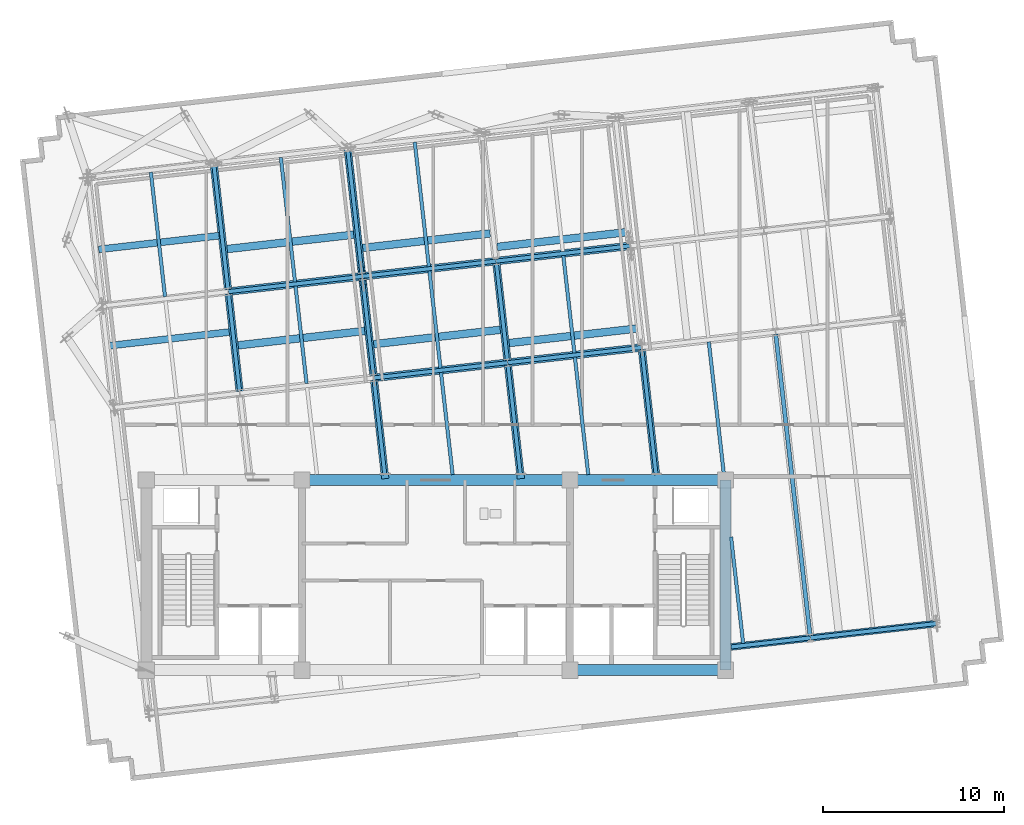
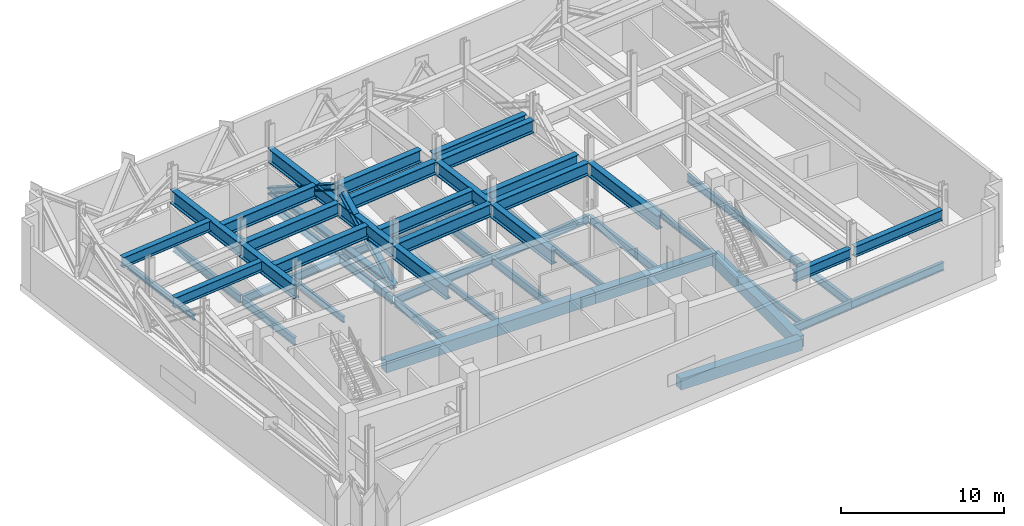
# One storey, part 2 of 10: 53 beams, 4 members.
"""IFC4 building model written with IfcOpenShell, lengths in metres."""

import ifcopenshell
import ifcopenshell.guid

model = None  # the IFC model being written
_history = None  # IfcOwnerHistory: only IFC2X3 demands one
_inside = {}  # id of a spatial element -> (the spatial element, [elements in it])
_under = {}  # id of a project, library or spatial element -> (it, [spatial elements below it])
_declared = {}  # id of a project -> (the project, [libraries it declares])
_typed = {}  # id of a type object -> (the type object, [elements of that type])
_made_of = {}  # id of a material, layer set ... -> (it, [elements and type objects made of it])


def new_model(schema):
    """Start an empty IFC model of exactly this schema.

    Asked for "IFC4X3", IfcOpenShell would pick the latest addendum, in which some entities
    have other attributes; the version numbers below select the first issue.
    IFC2X3 requires an IfcOwnerHistory on every rooted entity: one is made here for all.
    """
    global model, _history
    if schema == "IFC4X3":
        model = ifcopenshell.file(schema_version=(4, 3, 0, 0))
    else:
        model = ifcopenshell.file(schema=schema)
    _inside.clear()
    _under.clear()
    _declared.clear()
    _typed.clear()
    _made_of.clear()
    _history = None
    if model.schema == "IFC2X3":
        org = make("IfcOrganization", Name="unknown")
        user = make(
            "IfcPersonAndOrganization",
            ThePerson=make("IfcPerson", FamilyName="unknown"),
            TheOrganization=org,
        )
        app = make(
            "IfcApplication",
            ApplicationDeveloper=org,
            Version="unknown",
            ApplicationFullName="unknown",
            ApplicationIdentifier="unknown",
        )
        _history = make(
            "IfcOwnerHistory",
            OwningUser=user,
            OwningApplication=app,
            ChangeAction="ADDED",
            CreationDate=0,
        )
    return model


def make(cls, **values):
    """One entity of the class cls with the attributes given. An attribute that is None is left unset."""
    return model.create_entity(
        cls, **{name: value for name, value in values.items() if value is not None}
    )


def rooted(cls, **values):
    """An entity with a GlobalId (a new one), such as an element, a storey or a relation."""
    return make(cls, GlobalId=ifcopenshell.guid.new(), OwnerHistory=_history, **values)


def si_unit(unit_type, name, prefix=None):
    """IfcSIUnit, for example si_unit("LENGTHUNIT", "METRE", prefix="MILLI")."""
    return make("IfcSIUnit", UnitType=unit_type, Prefix=prefix, Name=name)


def assignment(units):
    """IfcUnitAssignment: the units of a project."""
    return None if units is None else make("IfcUnitAssignment", Units=units)


def point(xyz):
    """IfcCartesianPoint."""
    return None if xyz is None else make("IfcCartesianPoint", Coordinates=xyz)


def direction(xyz):
    """IfcDirection."""
    return None if xyz is None else make("IfcDirection", DirectionRatios=xyz)


def frame(location, z_axis=None, x_axis=None):
    """IfcAxis2Placement3D, a coordinate frame: its origin and axes. An axis left out is left unset."""
    return make(
        "IfcAxis2Placement3D",
        Location=point(location),
        Axis=direction(z_axis),
        RefDirection=direction(x_axis),
    )


def frame_2d(location, x_axis=None):
    """IfcAxis2Placement2D, a coordinate frame in the plane: its origin and x axis."""
    return make(
        "IfcAxis2Placement2D", Location=point(location), RefDirection=direction(x_axis)
    )


def origin():
    """The frame at (0, 0, 0) with its axes left unset."""
    return frame((0.0, 0.0, 0.0))


def origin_2d():
    """The frame at (0, 0) in the plane with its x axis left unset."""
    return frame_2d((0.0, 0.0))


def place(relative_to, where):
    """IfcLocalPlacement: puts the frame where relative to a parent placement (None: the world)."""
    return make(
        "IfcLocalPlacement", PlacementRelTo=relative_to, RelativePlacement=where
    )


def context(
    kind, dimensions, precision=None, world=None, true_north=None, identifier=None
):
    """IfcGeometricRepresentationContext, for example the 3D "Model" context."""
    return make(
        "IfcGeometricRepresentationContext",
        ContextIdentifier=identifier,
        ContextType=kind,
        CoordinateSpaceDimension=dimensions,
        Precision=precision,
        WorldCoordinateSystem=world,
        TrueNorth=true_north,
    )


def subcontext(parent, identifier, kind, view, scale=None):
    """IfcGeometricRepresentationSubContext, for example "Body" below "Model"."""
    return make(
        "IfcGeometricRepresentationSubContext",
        ContextIdentifier=identifier,
        ContextType=kind,
        ParentContext=parent,
        TargetScale=scale,
        TargetView=view,
    )


def project(units=None, contexts=None):
    """IfcProject with its units and contexts."""
    return rooted(
        "IfcProject",
        Name="project",
        RepresentationContexts=contexts,
        UnitsInContext=assignment(units),
    )


def spatial(cls, under=None, at=None, **own):
    """A site, building, storey or space (cls), placed at a placement, below another one or the project."""
    s = rooted(cls, ObjectPlacement=at, **own)
    if under is not None:
        _under.setdefault(under.id(), (under, []))[1].append(s)
    return s


def profile(cls, at=None, kind="AREA", **sizes):
    """A parametric profile (cls). Its sizes go by their IFC names, for example OverallWidth=200.0."""
    return make(cls, ProfileType=kind, Position=at, **sizes)


def rectangle(**sizes):
    """IfcRectangleProfileDef."""
    return profile("IfcRectangleProfileDef", **sizes)


def i_section(**sizes):
    """IfcIShapeProfileDef."""
    return profile("IfcIShapeProfileDef", **sizes)


def extrude(swept, where, along, depth):
    """IfcExtrudedAreaSolid: the profile swept, set in the frame where, extruded along a direction by depth."""
    return make(
        "IfcExtrudedAreaSolid",
        SweptArea=swept,
        Position=where,
        ExtrudedDirection=direction(along),
        Depth=depth,
    )


def shape(context_of_items, identifier, shape_type, items):
    """IfcShapeRepresentation: the items that make up one representation, for example the "Body"."""
    return make(
        "IfcShapeRepresentation",
        ContextOfItems=context_of_items,
        RepresentationIdentifier=identifier,
        RepresentationType=shape_type,
        Items=items,
    )


def material(Name=None, Category=None):
    """IfcMaterial."""
    return make("IfcMaterial", Name=Name, Category=Category)


def material_profile(
    of_material, cross_section, Name=None, Category=None, Priority=None
):
    """IfcMaterialProfile: a cross section and its material."""
    return make(
        "IfcMaterialProfile",
        Name=Name,
        Material=of_material,
        Profile=cross_section,
        Priority=Priority,
        Category=Category,
    )


def profile_set(profiles, Name=None, composite=None):
    """IfcMaterialProfileSet."""
    return make(
        "IfcMaterialProfileSet",
        Name=Name,
        MaterialProfiles=profiles,
        CompositeProfile=composite,
    )


def made_of(thing, what):
    """Note that an element or type object is made of a material, layer set ...; save() writes the relation."""
    if what is not None:
        _made_of.setdefault(what.id(), (what, []))[1].append(thing)
    return thing


def type_object(cls, material=None, **own):
    """A type object (cls), such as IfcWallType, which elements share."""
    return made_of(rooted(cls, **own), material)


def element(
    cls,
    number,
    at=None,
    inside=None,
    cuts=None,
    type_object=None,
    material=None,
    context=None,
    identifier="Body",
    shape_type=None,
    held_by="IfcProductDefinitionShape",
    body=None,
    shapes=None,
    **own,
):
    """One element of the class cls, such as IfcWall. Its Tag is "e" and its number.

    at: its placement. inside: the storey or other place that contains it. cuts: it is an
    opening in that element (IfcRelVoidsElement). A single representation is given by context,
    identifier, shape_type and body (its items); several are given by shapes. held_by: the class
    of the entity that holds the representations. save() writes the other relations.
    """
    e = rooted(cls, Tag="e%d" % number, ObjectPlacement=at, **own)
    if body is not None:
        shapes = [shape(context, identifier, shape_type, body)]
    if shapes is not None:
        e.Representation = make(held_by, Representations=shapes)
    if inside is not None:
        _inside.setdefault(inside.id(), (inside, []))[1].append(e)
    if cuts is not None:
        rooted(
            "IfcRelVoidsElement", RelatingBuildingElement=cuts, RelatedOpeningElement=e
        )
    if type_object is not None:
        _typed.setdefault(type_object.id(), (type_object, []))[1].append(e)
    return made_of(e, material)


def aggregate(whole, parts):
    """IfcRelAggregates: a whole, such as a stair, and the parts it consists of."""
    return rooted("IfcRelAggregates", RelatingObject=whole, RelatedObjects=parts)


def save(model, path):
    """Write the relations noted so far, then the file.

    IfcRelAggregates (storeys below a building ...), IfcRelContainedInSpatialStructure (elements
    in a storey), IfcRelDefinesByType, IfcRelAssociatesMaterial and IfcRelDeclares: one each for
    every whole, place, type object, material and project.
    """
    for whole, parts in _under.values():
        aggregate(whole, parts)
    for where, things in _inside.values():
        rooted(
            "IfcRelContainedInSpatialStructure",
            RelatedElements=things,
            RelatingStructure=where,
        )
    for kind, things in _typed.values():
        rooted("IfcRelDefinesByType", RelatedObjects=things, RelatingType=kind)
    for what, things in _made_of.values():
        rooted("IfcRelAssociatesMaterial", RelatedObjects=things, RelatingMaterial=what)
    for by, libraries in _declared.values():
        rooted("IfcRelDeclares", RelatingContext=by, RelatedDefinitions=libraries)
    model.write(path)


model = new_model("IFC4")

# Units and contexts
model_context = context("Model", 3, precision=1e-05, world=origin(), true_north=direction((0.0, 1.0)))
body_context = subcontext(model_context, "Body", "Model", "MODEL_VIEW")
ifc_project = project(units=[si_unit("LENGTHUNIT", "METRE"), si_unit("AREAUNIT", "SQUARE_METRE"), si_unit("VOLUMEUNIT", "CUBIC_METRE"), si_unit("PLANEANGLEUNIT", "RADIAN"), si_unit("MASSUNIT", "GRAM", prefix="KILO")], contexts=[model_context])

# Site, building, storey
site_placement = place(None, origin())
site = spatial("IfcSite", under=ifc_project, at=site_placement, CompositionType="ELEMENT")
building_placement = place(site_placement, origin())
building = spatial("IfcBuilding", under=site, at=building_placement, Name="Solmavex Isthmus Hotel", CompositionType="ELEMENT")
storey_placement = place(building_placement, frame((0.0, 0.0, 240.0)))
storey = spatial("IfcBuildingStorey", under=building, at=storey_placement, Name="L65", CompositionType="ELEMENT", Elevation=240.0)

# Beams
ifc_material_1 = material(Name="Steel ASTM A992 Grade 50", Category="steel")
ifc_material_profile_1 = material_profile(ifc_material_1, i_section(OverallWidth=0.380615234375, OverallDepth=0.773193359375, WebThickness=0.0166015625, FlangeThickness=0.027099609375, FilletRadius=0.01904296875, at=origin_2d()), Name="W30X173")
ifc_profile_set_1 = profile_set([ifc_material_profile_1], Name="Steel ASTM A992 Grade 50")
beam_type_1 = type_object("IfcBeamType", Name="BM-BG-W30X173", PredefinedType="BEAM", material=ifc_profile_set_1)
beam_1_placement = place(storey_placement, frame((16.300048828125, -11.7177734375, 3.183349609375), z_axis=(0.993569227128, 0.113226281858, 0.0), x_axis=(-0.113226281858, 0.993569227128, 0.0)))
element("IfcBeam", 1, at=beam_1_placement, inside=storey, type_object=beam_type_1, Name="Floor Framing Cross Girder L65-XLC23", PredefinedType="BEAM", context=body_context, shape_type="SweptSolid", body=[
    extrude(i_section(OverallWidth=0.380615234375, OverallDepth=0.773193359375, WebThickness=0.0166015625, FlangeThickness=0.027099609375, FilletRadius=0.01904296875, at=origin_2d()), origin(), (0.0, 0.0, 1.0), 4.25634765625),
])
for number, where, z_axis, x_axis, name in (
    (2, (20.8369140625, -11.200927734375, 3.183349609375), (0.993570915784, 0.113211462798, 0.0), (-0.113211462798, 0.993570915784, 0.0), "Floor Framing Cross Girder L65-XLC24"),
    (3, (-18.030517578125, 4.92626953125, 3.183349609375), (0.993575015096, 0.11317548046, 0.0), (-0.11317548046, 0.993575015096, 0.0), "Floor Framing Cross Girder L65-XLC43"),
    (4, (-18.636474609375, 10.2451171875, 3.183349609375), (0.993570915784, 0.113211462798, 0.0), (-0.113211462798, 0.993570915784, 0.0), "Floor Framing Cross Girder L65-XLC44"),
):
    element("IfcBeam", number, at=place(storey_placement, frame(where, z_axis=z_axis, x_axis=x_axis)), inside=storey, type_object=beam_type_1, Name=name, PredefinedType="BEAM", context=body_context, shape_type="SweptSolid", body=[
        extrude(i_section(OverallWidth=0.380615234375, OverallDepth=0.773193359375, WebThickness=0.0166015625, FlangeThickness=0.027099609375, FilletRadius=0.01904296875, at=origin_2d()), origin(), (0.0, 0.0, 1.0), 6.697998046875),
    ])
ifc_material_profile_2 = material_profile(ifc_material_1, i_section(OverallWidth=0.1904296875, OverallDepth=0.456787109375, WebThickness=0.009033203125, FlangeThickness=0.014404296875, FilletRadius=0.0126953125, at=origin_2d()), Name="W18X50")
ifc_profile_set_2 = profile_set([ifc_material_profile_2], Name="Steel ASTM A992 Grade 50")
beam_type_2 = type_object("IfcBeamType", Name="BM-BJ-W18X50", PredefinedType="JOIST", material=ifc_profile_set_2)
beam_2_placement = place(storey_placement, frame((-14.9677734375, 7.62890625, -0.678466796875), z_axis=(-0.113202453846, 0.993571942258, 0.0), x_axis=(-0.993571942258, -0.113202453846, 0.0)))
element("IfcBeam", 5, at=beam_2_placement, inside=storey, type_object=beam_type_2, Name="Secondary Floor Joist L65-J04", PredefinedType="JOIST", context=body_context, shape_type="SweptSolid", body=[
    extrude(i_section(OverallWidth=0.1904296875, OverallDepth=0.456787109375, WebThickness=0.009033203125, FlangeThickness=0.014404296875, FilletRadius=0.0126953125, at=origin_2d()), origin(), (0.0, 0.0, 1.0), 6.9228515625),
])
beam_3_placement = place(storey_placement, frame((-7.14794921875, 2.835205078125, -0.678466796875), z_axis=(-0.113189626161, 0.993573403695, 0.0), x_axis=(-0.993573403695, -0.113189626161, 0.0)))
element("IfcBeam", 6, at=beam_3_placement, inside=storey, type_object=beam_type_2, Name="Secondary Floor Joist L65-J07", PredefinedType="JOIST", context=body_context, shape_type="SweptSolid", body=[
    extrude(i_section(OverallWidth=0.1904296875, OverallDepth=0.456787109375, WebThickness=0.009033203125, FlangeThickness=0.014404296875, FilletRadius=0.0126953125, at=origin_2d()), origin(), (0.0, 0.0, 1.0), 5.42041015625),
])
beam_4_placement = place(storey_placement, frame((-7.787109375, 8.447021484375, -0.678466796875), z_axis=(-0.113202453846, 0.993571942258, 0.0), x_axis=(-0.993571942258, -0.113202453846, 0.0)))
element("IfcBeam", 7, at=beam_4_placement, inside=storey, type_object=beam_type_2, Name="Secondary Floor Joist L65-J08", PredefinedType="JOIST", context=body_context, shape_type="SweptSolid", body=[
    extrude(i_section(OverallWidth=0.1904296875, OverallDepth=0.456787109375, WebThickness=0.009033203125, FlangeThickness=0.014404296875, FilletRadius=0.0126953125, at=origin_2d()), origin(), (0.0, 0.0, 1.0), 6.9228515625),
])
beam_5_placement = place(storey_placement, frame((0.920166015625, -2.199951171875, -0.678466796875), z_axis=(-0.113219765873, 0.993569969663, 0.0), x_axis=(-0.993569969663, -0.113219765873, 0.0)))
element("IfcBeam", 8, at=beam_5_placement, inside=storey, type_object=beam_type_2, Name="Secondary Floor Joist L65-J09", PredefinedType="JOIST", context=body_context, shape_type="SweptSolid", body=[
    extrude(i_section(OverallWidth=0.1904296875, OverallDepth=0.456787109375, WebThickness=0.009033203125, FlangeThickness=0.014404296875, FilletRadius=0.0126953125, at=origin_2d()), origin(), (0.0, 0.0, 1.0), 5.6884765625),
])
beam_6_placement = place(storey_placement, frame((0.250244140625, 3.67822265625, -0.678466796875), z_axis=(-0.113194691868, 0.993572826587, 0.0), x_axis=(-0.993572826587, -0.113194691868, 0.0)))
element("IfcBeam", 9, at=beam_6_placement, inside=storey, type_object=beam_type_2, Name="Secondary Floor Joist L65-J10", PredefinedType="JOIST", context=body_context, shape_type="SweptSolid", body=[
    extrude(i_section(OverallWidth=0.1904296875, OverallDepth=0.456787109375, WebThickness=0.009033203125, FlangeThickness=0.014404296875, FilletRadius=0.0126953125, at=origin_2d()), origin(), (0.0, 0.0, 1.0), 5.420166015625),
])
beam_7_placement = place(storey_placement, frame((-0.38916015625, 9.289794921875, -0.678466796875), z_axis=(-0.113202453846, 0.993571942258, 0.0), x_axis=(-0.993571942258, -0.113202453846, 0.0)))
element("IfcBeam", 10, at=beam_7_placement, inside=storey, type_object=beam_type_2, Name="Secondary Floor Joist L65-J11", PredefinedType="JOIST", context=body_context, shape_type="SweptSolid", body=[
    extrude(i_section(OverallWidth=0.1904296875, OverallDepth=0.456787109375, WebThickness=0.009033203125, FlangeThickness=0.014404296875, FilletRadius=0.0126953125, at=origin_2d()), origin(), (0.0, 0.0, 1.0), 6.9228515625),
])
beam_8_placement = place(storey_placement, frame((8.414306640625, -2.199951171875, -0.678466796875), z_axis=(-0.113206345873, 0.993571498813, 0.0), x_axis=(-0.993571498813, -0.113206345873, 0.0)))
element("IfcBeam", 11, at=beam_8_placement, inside=storey, type_object=beam_type_2, Name="Secondary Floor Joist L65-J12", PredefinedType="JOIST", context=body_context, shape_type="SweptSolid", body=[
    extrude(i_section(OverallWidth=0.1904296875, OverallDepth=0.456787109375, WebThickness=0.009033203125, FlangeThickness=0.014404296875, FilletRadius=0.0126953125, at=origin_2d()), origin(), (0.0, 0.0, 1.0), 6.53662109375),
])
beam_9_placement = place(storey_placement, frame((7.6484375, 4.521240234375, -0.678466796875), z_axis=(-0.113194691868, 0.993572826587, 0.0), x_axis=(-0.993572826587, -0.113194691868, 0.0)))
element("IfcBeam", 12, at=beam_9_placement, inside=storey, type_object=beam_type_2, Name="Secondary Floor Joist L65-J13", PredefinedType="JOIST", context=body_context, shape_type="SweptSolid", body=[
    extrude(i_section(OverallWidth=0.1904296875, OverallDepth=0.456787109375, WebThickness=0.009033203125, FlangeThickness=0.014404296875, FilletRadius=0.0126953125, at=origin_2d()), origin(), (0.0, 0.0, 1.0), 5.420166015625),
])
beam_10_placement = place(storey_placement, frame((16.970947265625, -11.525390625, -0.678466796875), z_axis=(-0.113202687678, 0.993571915617, 0.0), x_axis=(-0.993571915617, -0.113202687678, 0.0)))
element("IfcBeam", 13, at=beam_10_placement, inside=storey, type_object=beam_type_2, Name="Secondary Floor Joist L65-J15", PredefinedType="JOIST", context=body_context, shape_type="SweptSolid", body=[
    extrude(i_section(OverallWidth=0.1904296875, OverallDepth=0.456787109375, WebThickness=0.009033203125, FlangeThickness=0.014404296875, FilletRadius=0.0126953125, at=origin_2d()), origin(), (0.0, 0.0, 1.0), 5.926513671875),
])
beam_11_placement = place(storey_placement, frame((15.908447265625, -2.199951171875, -0.678466796875), z_axis=(-0.113224925382, 0.99356938171, 0.0), x_axis=(-0.99356938171, -0.113224925382, 0.0)))
element("IfcBeam", 14, at=beam_11_placement, inside=storey, type_object=beam_type_2, Name="Secondary Floor Joist L65-J16", PredefinedType="JOIST", context=body_context, shape_type="SweptSolid", body=[
    extrude(i_section(OverallWidth=0.1904296875, OverallDepth=0.456787109375, WebThickness=0.009033203125, FlangeThickness=0.014404296875, FilletRadius=0.0126953125, at=origin_2d()), origin(), (0.0, 0.0, 1.0), 7.38525390625),
])
ifc_material_profile_3 = material_profile(ifc_material_1, i_section(OverallWidth=0.227783203125, OverallDepth=0.602783203125, WebThickness=0.010498046875, FlangeThickness=0.014892578125, FilletRadius=0.01513671875, at=origin_2d()), Name="W24X68")
ifc_profile_set_3 = profile_set([ifc_material_profile_3], Name="Steel ASTM A992 Grade 50")
beam_type_3 = type_object("IfcBeamType", Name="BM-BM-W24X68", PredefinedType="BEAM", material=ifc_profile_set_3)
beam_12_placement = place(storey_placement, frame((-3.435791015625, 3.1435546875, -0.75146484375), z_axis=(0.993569926006, 0.113220148984, 0.0), x_axis=(-0.113220148984, 0.993569926006, 0.0)))
element("IfcBeam", 15, at=beam_12_placement, inside=storey, type_object=beam_type_3, Name="Floor Girder L65-UG08", PredefinedType="BEAM", context=body_context, shape_type="SweptSolid", body=[
    extrude(i_section(OverallWidth=0.227783203125, OverallDepth=0.602783203125, WebThickness=0.010498046875, FlangeThickness=0.014892578125, FilletRadius=0.01513671875, at=origin_2d()), origin(), (0.0, 0.0, 1.0), 7.44580078125),
])
for number, where, z_axis, x_axis, name in (
    (16, (3.962158203125, 3.986572265625, -0.75146484375), (0.993574034044, 0.113184092846, 0.0), (-0.113184092846, 0.993574034044, 0.0), "Floor Girder L65-UG09"),
    (17, (-11.473388671875, 7.912353515625, -0.75146484375), (0.9935703463, 0.113216460607, 0.0), (-0.113216460607, 0.9935703463, 0.0), "Floor Girder L65-UG13"),
    (18, (-4.0751953125, 8.75537109375, -0.75146484375), (0.993574034044, 0.113184092846, 0.0), (-0.113184092846, 0.993574034044, 0.0), "Floor Girder L65-UG14"),
):
    element("IfcBeam", number, at=place(storey_placement, frame(where, z_axis=z_axis, x_axis=x_axis)), inside=storey, type_object=beam_type_3, Name=name, PredefinedType="BEAM", context=body_context, shape_type="SweptSolid", body=[
        extrude(i_section(OverallWidth=0.227783203125, OverallDepth=0.602783203125, WebThickness=0.010498046875, FlangeThickness=0.014892578125, FilletRadius=0.01513671875, at=origin_2d()), origin(), (0.0, 0.0, 1.0), 7.446044921875),
    ])
beam_13_placement = place(storey_placement, frame((3.322998046875, 9.59814453125, -0.75146484375), z_axis=(0.993569926006, 0.113220148984, 0.0), x_axis=(-0.113220148984, 0.993569926006, 0.0)))
element("IfcBeam", 19, at=beam_13_placement, inside=storey, type_object=beam_type_3, Name="Floor Girder L65-UG15", PredefinedType="BEAM", context=body_context, shape_type="SweptSolid", body=[
    extrude(i_section(OverallWidth=0.227783203125, OverallDepth=0.602783203125, WebThickness=0.010498046875, FlangeThickness=0.014892578125, FilletRadius=0.01513671875, at=origin_2d()), origin(), (0.0, 0.0, 1.0), 7.44580078125),
])
beam_14_placement = place(storey_placement, frame((-10.846923828125, 2.413818359375, -0.75146484375), z_axis=(-0.113189626161, 0.993573403695, 0.0), x_axis=(-0.993573403695, -0.113189626161, 0.0)))
element("IfcBeam", 20, at=beam_14_placement, inside=storey, type_object=beam_type_3, Name="Floor Beam L65-VG29", PredefinedType="BEAM", context=body_context, shape_type="SweptSolid", body=[
    extrude(i_section(OverallWidth=0.227783203125, OverallDepth=0.602783203125, WebThickness=0.010498046875, FlangeThickness=0.014892578125, FilletRadius=0.01513671875, at=origin_2d()), origin(), (0.0, 0.0, 1.0), 5.42041015625),
])
beam_15_placement = place(storey_placement, frame((-11.486328125, 8.025634765625, -0.75146484375), z_axis=(-0.113202453846, 0.993571942258, 0.0), x_axis=(-0.993571942258, -0.113202453846, 0.0)))
element("IfcBeam", 21, at=beam_15_placement, inside=storey, type_object=beam_type_3, Name="Floor Beam L65-VG30", PredefinedType="BEAM", context=body_context, shape_type="SweptSolid", body=[
    extrude(i_section(OverallWidth=0.227783203125, OverallDepth=0.602783203125, WebThickness=0.010498046875, FlangeThickness=0.014892578125, FilletRadius=0.01513671875, at=origin_2d()), origin(), (0.0, 0.0, 1.0), 6.9228515625),
])
beam_16_placement = place(storey_placement, frame((-2.8271484375, -2.199951171875, -0.75146484375), z_axis=(-0.113159423971, 0.993576843916, 0.0), x_axis=(-0.993576843916, -0.113159423971, 0.0)))
element("IfcBeam", 22, at=beam_16_placement, inside=storey, type_object=beam_type_3, Name="Floor Beam L65-VG31", PredefinedType="BEAM", context=body_context, shape_type="SweptSolid", body=[
    extrude(i_section(OverallWidth=0.227783203125, OverallDepth=0.602783203125, WebThickness=0.010498046875, FlangeThickness=0.014892578125, FilletRadius=0.01513671875, at=origin_2d()), origin(), (0.0, 0.0, 1.0), 5.26416015625),
])
beam_17_placement = place(storey_placement, frame((-3.44873046875, 3.2568359375, -0.75146484375), z_axis=(-0.113194691868, 0.993572826587, 0.0), x_axis=(-0.993572826587, -0.113194691868, 0.0)))
element("IfcBeam", 23, at=beam_17_placement, inside=storey, type_object=beam_type_3, Name="Floor Beam L65-VG32", PredefinedType="BEAM", context=body_context, shape_type="SweptSolid", body=[
    extrude(i_section(OverallWidth=0.227783203125, OverallDepth=0.602783203125, WebThickness=0.010498046875, FlangeThickness=0.014892578125, FilletRadius=0.01513671875, at=origin_2d()), origin(), (0.0, 0.0, 1.0), 5.420166015625),
])
beam_18_placement = place(storey_placement, frame((-4.088134765625, 8.868408203125, -0.75146484375), z_axis=(-0.113202453846, 0.993571942258, 0.0), x_axis=(-0.993571942258, -0.113202453846, 0.0)))
element("IfcBeam", 24, at=beam_18_placement, inside=storey, type_object=beam_type_3, Name="Floor Beam L65-VG33", PredefinedType="BEAM", context=body_context, shape_type="SweptSolid", body=[
    extrude(i_section(OverallWidth=0.227783203125, OverallDepth=0.602783203125, WebThickness=0.010498046875, FlangeThickness=0.014892578125, FilletRadius=0.01513671875, at=origin_2d()), origin(), (0.0, 0.0, 1.0), 6.9228515625),
])
beam_19_placement = place(storey_placement, frame((4.667236328125, -2.199951171875, -0.75146484375), z_axis=(-0.113232304752, 0.993568540746, 0.0), x_axis=(-0.993568540746, -0.113232304752, 0.0)))
element("IfcBeam", 25, at=beam_19_placement, inside=storey, type_object=beam_type_3, Name="Floor Beam L65-VG34", PredefinedType="BEAM", context=body_context, shape_type="SweptSolid", body=[
    extrude(i_section(OverallWidth=0.227783203125, OverallDepth=0.602783203125, WebThickness=0.010498046875, FlangeThickness=0.014892578125, FilletRadius=0.01513671875, at=origin_2d()), origin(), (0.0, 0.0, 1.0), 6.112548828125),
])
beam_20_placement = place(storey_placement, frame((3.949462890625, 4.099609375, -0.75146484375), z_axis=(-0.113234090386, 0.993568337244, 0.0), x_axis=(-0.993568337244, -0.113234090386, 0.0)))
element("IfcBeam", 26, at=beam_20_placement, inside=storey, type_object=beam_type_3, Name="Floor Beam L65-VG35", PredefinedType="BEAM", context=body_context, shape_type="SweptSolid", body=[
    extrude(i_section(OverallWidth=0.227783203125, OverallDepth=0.602783203125, WebThickness=0.010498046875, FlangeThickness=0.014892578125, FilletRadius=0.01513671875, at=origin_2d()), origin(), (0.0, 0.0, 1.0), 5.42041015625),
])
beam_21_placement = place(storey_placement, frame((12.161376953125, -2.199951171875, -0.75146484375), z_axis=(-0.113214229187, 0.993570600566, 0.0), x_axis=(-0.993570600566, -0.113214229187, 0.0)))
element("IfcBeam", 27, at=beam_21_placement, inside=storey, type_object=beam_type_3, Name="Floor Beam L65-VG37", PredefinedType="BEAM", context=body_context, shape_type="SweptSolid", body=[
    extrude(i_section(OverallWidth=0.227783203125, OverallDepth=0.602783203125, WebThickness=0.010498046875, FlangeThickness=0.014892578125, FilletRadius=0.01513671875, at=origin_2d()), origin(), (0.0, 0.0, 1.0), 6.9609375),
])
beam_22_placement = place(storey_placement, frame((20.669921875, -11.10400390625, -0.75146484375), z_axis=(-0.113198426291, 0.993572401129, 0.0), x_axis=(-0.993572401129, -0.113198426291, 0.0)))
element("IfcBeam", 28, at=beam_22_placement, inside=storey, type_object=beam_type_3, Name="Floor Beam L65-VG40", PredefinedType="BEAM", context=body_context, shape_type="SweptSolid", body=[
    extrude(i_section(OverallWidth=0.227783203125, OverallDepth=0.602783203125, WebThickness=0.010498046875, FlangeThickness=0.014892578125, FilletRadius=0.01513671875, at=origin_2d()), origin(), (0.0, 0.0, 1.0), 16.77099609375),
])
ifc_material_2 = material(Name="Concrete C50/60", Category="concrete")
ifc_material_profile_4 = material_profile(ifc_material_2, rectangle(XDim=0.60009765625, YDim=0.85009765625, at=origin_2d()), Name="RC600X850")
ifc_profile_set_4 = profile_set([ifc_material_profile_4], Name="Concrete C50/60")
beam_type_4 = type_object("IfcBeamType", Name="BM-CB-600X850", PredefinedType="BEAM", material=ifc_profile_set_4)
beam_23_placement = place(storey_placement, frame((7.39990234375, -13.0, -0.875), z_axis=(1.0, 0.0, 0.0), x_axis=(0.0, 1.0, 0.0)))
element("IfcBeam", 29, at=beam_23_placement, inside=storey, type_object=beam_type_4, Name="Core Coupling Beam L65-CB3", PredefinedType="BEAM", context=body_context, shape_type="SweptSolid", body=[
    extrude(rectangle(XDim=0.60009765625, YDim=0.85009765625, at=origin_2d()), origin(), (0.0, 0.0, 1.0), 8.60009765625),
])
beam_24_placement = place(storey_placement, frame((-7.39990234375, -2.5, -0.764892578125), z_axis=(1.0, 0.0, 0.0), x_axis=(0.0, 1.0, 0.0)))
element("IfcBeam", 30, at=beam_24_placement, inside=storey, type_object=beam_type_4, Name="Core Coupling Beam L65-CB5", PredefinedType="BEAM", context=body_context, shape_type="SweptSolid", body=[
    extrude(rectangle(XDim=0.60009765625, YDim=0.85009765625, at=origin_2d()), origin(), (0.0, 0.0, 1.0), 14.7998046875),
])
beam_25_placement = place(storey_placement, frame((7.39990234375, -2.5, -0.764892578125), z_axis=(1.0, 0.0, 0.0), x_axis=(0.0, 1.0, 0.0)))
element("IfcBeam", 31, at=beam_25_placement, inside=storey, type_object=beam_type_4, Name="Core Coupling Beam L65-CB6", PredefinedType="BEAM", context=body_context, shape_type="SweptSolid", body=[
    extrude(rectangle(XDim=0.60009765625, YDim=0.85009765625, at=origin_2d()), origin(), (0.0, 0.0, 1.0), 8.60009765625),
])
beam_26_placement = place(storey_placement, frame((16.0, -13.0, -0.875), z_axis=(0.0, 1.0, 0.0), x_axis=(-1.0, 0.0, 0.0)))
element("IfcBeam", 32, at=beam_26_placement, inside=storey, type_object=beam_type_4, Name="Core Coupling Beam L65-CB8", PredefinedType="BEAM", context=body_context, shape_type="SweptSolid", body=[
    extrude(rectangle(XDim=0.60009765625, YDim=0.85009765625, at=origin_2d()), origin(), (0.0, 0.0, 1.0), 10.5),
])
ifc_material_profile_5 = material_profile(ifc_material_1, i_section(OverallWidth=0.230224609375, OverallDepth=0.617431640625, WebThickness=0.01318359375, FlangeThickness=0.022216796875, FilletRadius=0.01513671875, at=origin_2d()), Name="W24X94")
ifc_profile_set_5 = profile_set([ifc_material_profile_5], Name="Steel ASTM A992 Grade 50")
beam_type_5 = type_object("IfcBeamType", Name="BM-SP-W24X94", PredefinedType="SPANDREL", material=ifc_profile_set_5)
beam_27_placement = place(storey_placement, frame((16.300048828125, -11.7177734375, -0.7587890625), z_axis=(0.993574880398, 0.113176662976, 0.0), x_axis=(-0.113176662976, 0.993574880398, 0.0)))
element("IfcBeam", 33, at=beam_27_placement, inside=storey, type_object=beam_type_5, Name="Floor Girder L65-UG04", PredefinedType="SPANDREL", context=body_context, shape_type="SweptSolid", body=[
    extrude(i_section(OverallWidth=0.230224609375, OverallDepth=0.617431640625, WebThickness=0.01318359375, FlangeThickness=0.022216796875, FilletRadius=0.01513671875, at=origin_2d()), origin(), (0.0, 0.0, 1.0), 4.411376953125),
])
beam_28_placement = place(storey_placement, frame((20.68310546875, -11.218505859375, -0.7587890625), z_axis=(0.993569675103, 0.113222350774, 0.0), x_axis=(-0.113222350774, 0.993569675103, 0.0)))
element("IfcBeam", 34, at=beam_28_placement, inside=storey, type_object=beam_type_5, Name="Floor Girder L65-UG05", PredefinedType="SPANDREL", context=body_context, shape_type="SweptSolid", body=[
    extrude(i_section(OverallWidth=0.230224609375, OverallDepth=0.617431640625, WebThickness=0.01318359375, FlangeThickness=0.022216796875, FilletRadius=0.01513671875, at=origin_2d()), origin(), (0.0, 0.0, 1.0), 7.008056640625),
])
ifc_material_3 = material(Name="Steel ASTM A913 Grade 65", Category="steel")
ifc_material_profile_6 = material_profile(ifc_material_3, i_section(OverallWidth=0.423095703125, OverallDepth=0.93896484375, WebThickness=0.02392578125, FlangeThickness=0.042724609375, FilletRadius=0.024169921875, at=origin_2d()), Name="W36X302")
ifc_profile_set_6 = profile_set([ifc_material_profile_6], Name="Steel ASTM A913 Grade 65")
beam_type_6 = type_object("IfcBeamType", Name="BM-TB-W36X302", PredefinedType="BEAM", material=ifc_profile_set_6)
for number, where, z_axis, x_axis, name in (
    (35, (-3.28173828125, 3.1611328125, 3.1005859375), (0.993571101431, 0.113209833499, 0.0), (-0.113209833499, 0.993571101431, 0.0), "Horizontal Outrigger Collector Girder L65-XLC27"),
    (36, (4.1162109375, 4.004150390625, 3.1005859375), (0.993574949186, 0.113176059086, 0.0), (-0.113176059086, 0.993574949186, 0.0), "Horizontal Outrigger Collector Girder L65-XLC28"),
    (37, (-11.3193359375, 7.929931640625, 3.1005859375), (0.993571101431, 0.113209833499, 0.0), (-0.113209833499, 0.993571101431, 0.0), "Horizontal Outrigger Collector Girder L65-XLC32"),
    (38, (-3.921142578125, 8.77294921875, 3.1005859375), (0.993574949186, 0.113176059086, 0.0), (-0.113176059086, 0.993574949186, 0.0), "Horizontal Outrigger Collector Girder L65-XLC33"),
):
    element("IfcBeam", number, at=place(storey_placement, frame(where, z_axis=z_axis, x_axis=x_axis)), inside=storey, type_object=beam_type_6, Name=name, PredefinedType="BEAM", context=body_context, shape_type="SweptSolid", body=[
        extrude(i_section(OverallWidth=0.423095703125, OverallDepth=0.93896484375, WebThickness=0.02392578125, FlangeThickness=0.042724609375, FilletRadius=0.024169921875, at=origin_2d()), origin(), (0.0, 0.0, 1.0), 7.135986328125),
    ])
for number, where, z_axis, x_axis, name in (
    (39, (3.476806640625, 9.61572265625, 3.1005859375), (0.993571539895, 0.113205985315, 0.0), (-0.113205985315, 0.993571539895, 0.0), "Horizontal Outrigger Collector Girder L65-XLC34"),
    (40, (-10.978759765625, 4.939453125, 3.1005859375), (0.993571539895, 0.113205985315, 0.0), (-0.113205985315, 0.993571539895, 0.0), "Horizontal Outrigger Collector Girder L65-XLC45"),
):
    element("IfcBeam", number, at=place(storey_placement, frame(where, z_axis=z_axis, x_axis=x_axis)), inside=storey, type_object=beam_type_6, Name=name, PredefinedType="BEAM", context=body_context, shape_type="SweptSolid", body=[
        extrude(i_section(OverallWidth=0.423095703125, OverallDepth=0.93896484375, WebThickness=0.02392578125, FlangeThickness=0.042724609375, FilletRadius=0.024169921875, at=origin_2d()), origin(), (0.0, 0.0, 1.0), 7.13623046875),
    ])
for number, where, z_axis, x_axis, name in (
    (41, (-11.584716796875, 10.25830078125, 3.1005859375), (0.993571101431, 0.113209833499, 0.0), (-0.113209833499, 0.993571101431, 0.0), "Horizontal Outrigger Collector Girder L65-XLC46"),
    (42, (-3.49169921875, 5.002197265625, 3.1005859375), (0.993571101431, 0.113209833499, 0.0), (-0.113209833499, 0.993571101431, 0.0), "Horizontal Outrigger Collector Girder L65-XLC47"),
    (43, (-4.09765625, 10.321044921875, 3.1005859375), (0.993571101431, 0.113209833499, 0.0), (-0.113209833499, 0.993571101431, 0.0), "Horizontal Outrigger Collector Girder L65-XLC48"),
    (44, (3.995361328125, 5.06494140625, 3.1005859375), (0.993571101431, 0.113209833499, 0.0), (-0.113209833499, 0.993571101431, 0.0), "Horizontal Outrigger Collector Girder L65-XLC49"),
    (45, (3.389404296875, 10.3837890625, 3.1005859375), (0.993571101431, 0.113209833499, 0.0), (-0.113209833499, 0.993571101431, 0.0), "Horizontal Outrigger Collector Girder L65-XLC50"),
):
    element("IfcBeam", number, at=place(storey_placement, frame(where, z_axis=z_axis, x_axis=x_axis)), inside=storey, type_object=beam_type_6, Name=name, PredefinedType="BEAM", context=body_context, shape_type="SweptSolid", body=[
        extrude(i_section(OverallWidth=0.423095703125, OverallDepth=0.93896484375, WebThickness=0.02392578125, FlangeThickness=0.042724609375, FilletRadius=0.024169921875, at=origin_2d()), origin(), (0.0, 0.0, 1.0), 7.135986328125),
    ])
ifc_material_profile_7 = material_profile(ifc_material_3, i_section(OverallWidth=0.409423828125, OverallDepth=1.036376953125, WebThickness=0.031005859375, FlangeThickness=0.055908203125, FilletRadius=0.030517578125, at=origin_2d()), Name="W40X397")
ifc_profile_set_7 = profile_set([ifc_material_profile_7], Name="Steel ASTM A913 Grade 65")
beam_type_7 = type_object("IfcBeamType", Name="BM-TB-W40X397B", PredefinedType="BEAM", material=ifc_profile_set_7)
beam_29_placement = place(storey_placement, frame((-10.833984375, 2.30078125, 3.0517578125), z_axis=(-0.113211323472, 0.993570931659, 0.0), x_axis=(-0.993570931659, -0.113211323472, 0.0)))
element("IfcBeam", 46, at=beam_29_placement, inside=storey, type_object=beam_type_7, Name="Horizontal Transfer Carrier Girder L65-XLC06", PredefinedType="BEAM", context=body_context, shape_type="SweptSolid", body=[
    extrude(i_section(OverallWidth=0.409423828125, OverallDepth=1.036376953125, WebThickness=0.031005859375, FlangeThickness=0.055908203125, FilletRadius=0.030517578125, at=origin_2d()), origin(), (0.0, 0.0, 1.0), 5.64794921875),
])
beam_30_placement = place(storey_placement, frame((-11.473388671875, 7.912353515625, 3.0517578125), z_axis=(-0.113196143224, 0.993572661238, 0.0), x_axis=(-0.993572661238, -0.113196143224, 0.0)))
element("IfcBeam", 47, at=beam_30_placement, inside=storey, type_object=beam_type_7, Name="Horizontal Transfer Carrier Girder L65-XLC07", PredefinedType="BEAM", context=body_context, shape_type="SweptSolid", body=[
    extrude(i_section(OverallWidth=0.409423828125, OverallDepth=1.036376953125, WebThickness=0.031005859375, FlangeThickness=0.055908203125, FilletRadius=0.030517578125, at=origin_2d()), origin(), (0.0, 0.0, 1.0), 7.15185546875),
])
beam_31_placement = place(storey_placement, frame((-2.802001953125, -2.419921875, 3.0517578125), z_axis=(-0.113187518835, 0.993573643763, 0.0), x_axis=(-0.993573643763, -0.113187518835, 0.0)))
element("IfcBeam", 48, at=beam_31_placement, inside=storey, type_object=beam_type_7, Name="Horizontal Transfer Carrier Girder L65-XLC08", PredefinedType="BEAM", context=body_context, shape_type="SweptSolid", body=[
    extrude(i_section(OverallWidth=0.409423828125, OverallDepth=1.036376953125, WebThickness=0.031005859375, FlangeThickness=0.055908203125, FilletRadius=0.030517578125, at=origin_2d()), origin(), (0.0, 0.0, 1.0), 5.599365234375),
])
beam_32_placement = place(storey_placement, frame((-3.435791015625, 3.1435546875, 3.0517578125), z_axis=(-0.113206461365, 0.993571485654, 0.0), x_axis=(-0.993571485654, -0.113206461365, 0.0)))
element("IfcBeam", 49, at=beam_32_placement, inside=storey, type_object=beam_type_7, Name="Horizontal Transfer Carrier Girder L65-XLC09", PredefinedType="BEAM", context=body_context, shape_type="SweptSolid", body=[
    extrude(i_section(OverallWidth=0.409423828125, OverallDepth=1.036376953125, WebThickness=0.031005859375, FlangeThickness=0.055908203125, FilletRadius=0.030517578125, at=origin_2d()), origin(), (0.0, 0.0, 1.0), 5.648193359375),
])
beam_33_placement = place(storey_placement, frame((-4.0751953125, 8.75537109375, 3.0517578125), z_axis=(-0.113196143224, 0.993572661238, 0.0), x_axis=(-0.993572661238, -0.113196143224, 0.0)))
element("IfcBeam", 50, at=beam_33_placement, inside=storey, type_object=beam_type_7, Name="Horizontal Transfer Carrier Girder L65-XLC10", PredefinedType="BEAM", context=body_context, shape_type="SweptSolid", body=[
    extrude(i_section(OverallWidth=0.409423828125, OverallDepth=1.036376953125, WebThickness=0.031005859375, FlangeThickness=0.055908203125, FilletRadius=0.030517578125, at=origin_2d()), origin(), (0.0, 0.0, 1.0), 7.15185546875),
])
beam_34_placement = place(storey_placement, frame((4.692138671875, -2.419921875, 3.0517578125), z_axis=(-0.113211276313, 0.993570937032, 0.0), x_axis=(-0.993570937032, -0.113211276313, 0.0)))
element("IfcBeam", 51, at=beam_34_placement, inside=storey, type_object=beam_type_7, Name="Horizontal Transfer Carrier Girder L65-XLC11", PredefinedType="BEAM", context=body_context, shape_type="SweptSolid", body=[
    extrude(i_section(OverallWidth=0.409423828125, OverallDepth=1.036376953125, WebThickness=0.031005859375, FlangeThickness=0.055908203125, FilletRadius=0.030517578125, at=origin_2d()), origin(), (0.0, 0.0, 1.0), 6.447998046875),
])
beam_35_placement = place(storey_placement, frame((3.962158203125, 3.986572265625, 3.0517578125), z_axis=(-0.113168650263, 0.993575793082, 0.0), x_axis=(-0.993575793082, -0.113168650263, 0.0)))
element("IfcBeam", 52, at=beam_35_placement, inside=storey, type_object=beam_type_7, Name="Horizontal Transfer Carrier Girder L65-XLC12", PredefinedType="BEAM", context=body_context, shape_type="SweptSolid", body=[
    extrude(i_section(OverallWidth=0.409423828125, OverallDepth=1.036376953125, WebThickness=0.031005859375, FlangeThickness=0.055908203125, FilletRadius=0.030517578125, at=origin_2d()), origin(), (0.0, 0.0, 1.0), 5.64794921875),
])
beam_36_placement = place(storey_placement, frame((12.186279296875, -2.419921875, 3.0517578125), z_axis=(-0.113200240254, 0.993572194461, 0.0), x_axis=(-0.993572194461, -0.113200240254, 0.0)))
element("IfcBeam", 53, at=beam_36_placement, inside=storey, type_object=beam_type_7, Name="Horizontal Transfer Carrier Girder L65-XLC14", PredefinedType="BEAM", context=body_context, shape_type="SweptSolid", body=[
    extrude(i_section(OverallWidth=0.409423828125, OverallDepth=1.036376953125, WebThickness=0.031005859375, FlangeThickness=0.055908203125, FilletRadius=0.030517578125, at=origin_2d()), origin(), (0.0, 0.0, 1.0), 7.296142578125),
])

# Members
ifc_material_profile_8 = material_profile(ifc_material_3, i_section(OverallWidth=0.412109375, OverallDepth=0.434814453125, WebThickness=0.035888671875, FlangeThickness=0.057373046875, FilletRadius=0.030517578125, at=origin_2d()), Name="W14X311")
ifc_profile_set_8 = profile_set([ifc_material_profile_8], Name="Steel ASTM A913 Grade 65")
member_type_1 = type_object("IfcMemberType", Name="MEM-TC-W14X311", PredefinedType="CHORD", material=ifc_profile_set_8)
member_1_placement = place(storey_placement, frame((-3.435791015625, 3.1435546875, 0.35009765625), z_axis=(-0.113206461365, 0.993571485654, 0.0), x_axis=(-0.993571485654, -0.113206461365, 0.0)))
element("IfcMember", 54, at=member_1_placement, inside=storey, type_object=member_type_1, Name="Outrigger and Belt Transfer Truss Bottom Chord OT-L65-W-13", PredefinedType="CHORD", context=body_context, shape_type="SweptSolid", body=[
    extrude(i_section(OverallWidth=0.412109375, OverallDepth=0.434814453125, WebThickness=0.035888671875, FlangeThickness=0.057373046875, FilletRadius=0.030517578125, at=origin_2d()), origin(), (0.0, 0.0, 1.0), 5.648193359375),
])
member_2_placement = place(storey_placement, frame((-4.0751953125, 8.75537109375, 0.35009765625), z_axis=(-0.113196143224, 0.993572661238, 0.0), x_axis=(-0.993572661238, -0.113196143224, 0.0)))
element("IfcMember", 55, at=member_2_placement, inside=storey, type_object=member_type_1, Name="Outrigger and Belt Transfer Truss Bottom Chord OT-L65-W-14", PredefinedType="CHORD", context=body_context, shape_type="SweptSolid", body=[
    extrude(i_section(OverallWidth=0.412109375, OverallDepth=0.434814453125, WebThickness=0.035888671875, FlangeThickness=0.057373046875, FilletRadius=0.030517578125, at=origin_2d()), origin(), (0.0, 0.0, 1.0), 7.15185546875),
])
ifc_material_profile_9 = material_profile(ifc_material_3, i_section(OverallWidth=0.40625, OverallDepth=0.416015625, WebThickness=0.02978515625, FlangeThickness=0.048095703125, FilletRadius=0.030517578125, at=origin_2d()), Name="W14X257")
ifc_profile_set_9 = profile_set([ifc_material_profile_9], Name="Steel ASTM A913 Grade 65")
member_type_2 = type_object("IfcMemberType", Name="MEM-TM-W14X257", PredefinedType="BRACE", material=ifc_profile_set_9)
member_3_placement = place(storey_placement, frame((-3.435791015625, 3.1435546875, 0.35009765625), z_axis=(-0.090065410291, 0.790545553127, 0.605744129399), x_axis=(-0.9935726866, -0.113195920612, 0.0)))
element("IfcMember", 56, at=member_3_placement, inside=storey, type_object=member_type_2, Name="Outrigger and Belt Transfer Truss Diagonal Brace OT-L65-W-13", PredefinedType="BRACE", context=body_context, shape_type="SweptSolid", body=[
    extrude(i_section(OverallWidth=0.40625, OverallDepth=0.416015625, WebThickness=0.02978515625, FlangeThickness=0.048095703125, FilletRadius=0.030517578125, at=origin_2d()), origin(), (0.0, 0.0, 1.0), 6.638427734375),
])
member_4_placement = place(storey_placement, frame((-4.119873046875, 9.14697265625, 4.4130859375), z_axis=(-0.097004256307, 0.851519647929, -0.515271252303), x_axis=(-0.993573712939, -0.113186911593, 0.0)))
element("IfcMember", 57, at=member_4_placement, inside=storey, type_object=member_type_2, Name="Outrigger and Belt Transfer Truss Diagonal Brace OT-L65-W-14", PredefinedType="BRACE", context=body_context, shape_type="SweptSolid", body=[
    extrude(i_section(OverallWidth=0.40625, OverallDepth=0.416015625, WebThickness=0.02978515625, FlangeThickness=0.048095703125, FilletRadius=0.030517578125, at=origin_2d()), origin(), (0.0, 0.0, 1.0), 7.88525390625),
])

save(model, "model.ifc")
